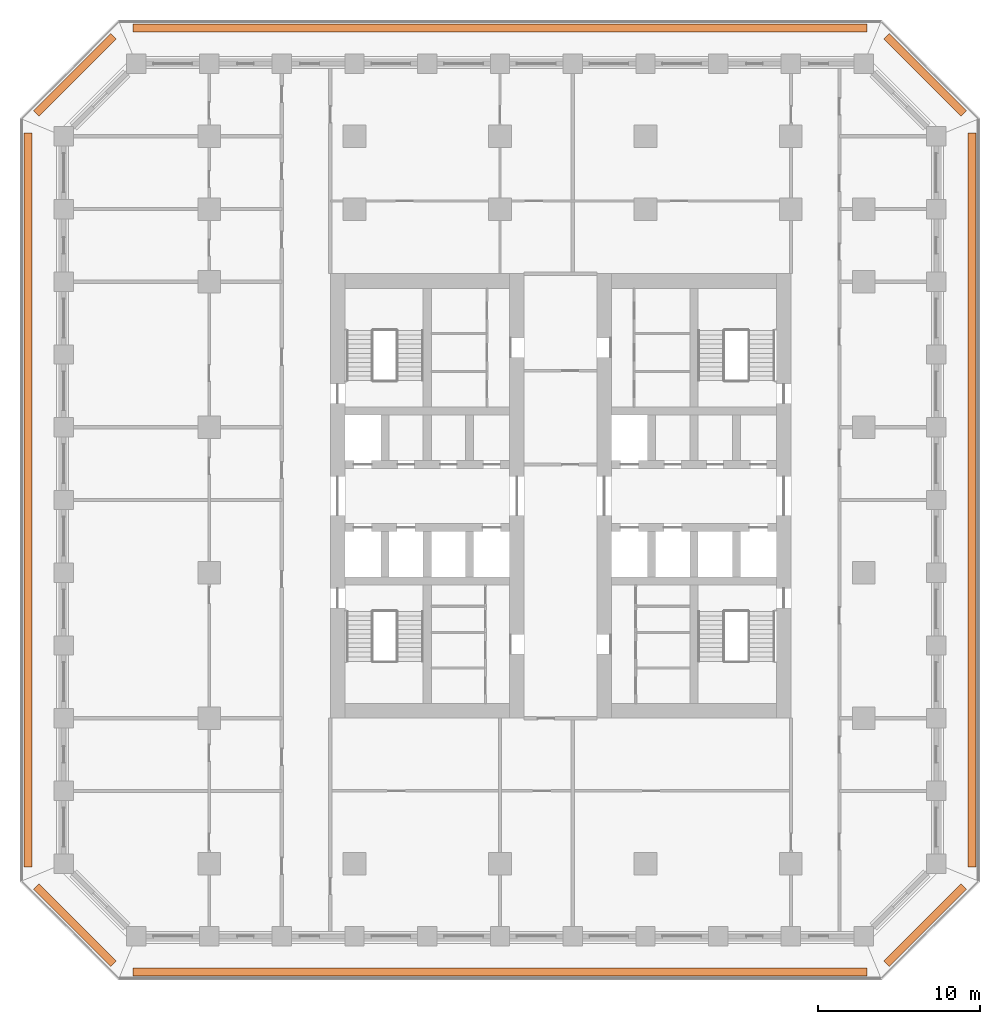
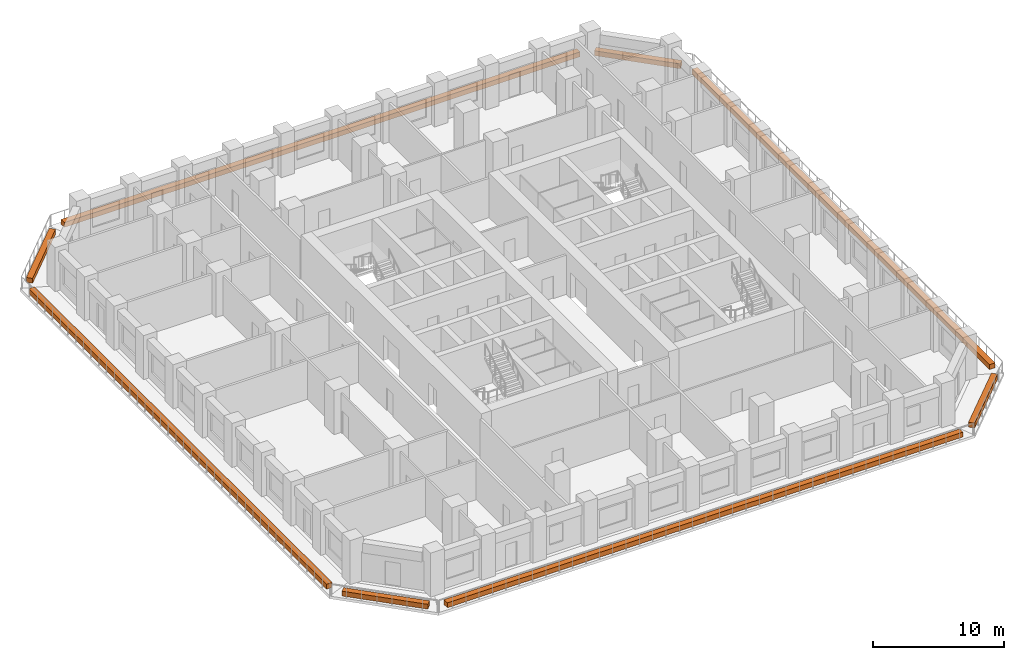
# One storey, part 17 of 17: 8 proxies.
"""IFC4 building model written with IfcOpenShell, lengths in metres."""

import ifcopenshell
import ifcopenshell.guid

model = None  # the IFC model being written
_history = None  # IfcOwnerHistory: only IFC2X3 demands one
_inside = {}  # id of a spatial element -> (the spatial element, [elements in it])
_under = {}  # id of a project, library or spatial element -> (it, [spatial elements below it])
_declared = {}  # id of a project -> (the project, [libraries it declares])
_typed = {}  # id of a type object -> (the type object, [elements of that type])
_made_of = {}  # id of a material, layer set ... -> (it, [elements and type objects made of it])


def new_model(schema):
    """Start an empty IFC model of exactly this schema.

    Asked for "IFC4X3", IfcOpenShell would pick the latest addendum, in which some entities
    have other attributes; the version numbers below select the first issue.
    IFC2X3 requires an IfcOwnerHistory on every rooted entity: one is made here for all.
    """
    global model, _history
    if schema == "IFC4X3":
        model = ifcopenshell.file(schema_version=(4, 3, 0, 0))
    else:
        model = ifcopenshell.file(schema=schema)
    _inside.clear()
    _under.clear()
    _declared.clear()
    _typed.clear()
    _made_of.clear()
    _history = None
    if model.schema == "IFC2X3":
        org = make("IfcOrganization", Name="unknown")
        user = make(
            "IfcPersonAndOrganization",
            ThePerson=make("IfcPerson", FamilyName="unknown"),
            TheOrganization=org,
        )
        app = make(
            "IfcApplication",
            ApplicationDeveloper=org,
            Version="unknown",
            ApplicationFullName="unknown",
            ApplicationIdentifier="unknown",
        )
        _history = make(
            "IfcOwnerHistory",
            OwningUser=user,
            OwningApplication=app,
            ChangeAction="ADDED",
            CreationDate=0,
        )
    return model


def make(cls, **values):
    """One entity of the class cls with the attributes given. An attribute that is None is left unset."""
    return model.create_entity(
        cls, **{name: value for name, value in values.items() if value is not None}
    )


def rooted(cls, **values):
    """An entity with a GlobalId (a new one), such as an element, a storey or a relation."""
    return make(cls, GlobalId=ifcopenshell.guid.new(), OwnerHistory=_history, **values)


def si_unit(unit_type, name, prefix=None):
    """IfcSIUnit, for example si_unit("LENGTHUNIT", "METRE", prefix="MILLI")."""
    return make("IfcSIUnit", UnitType=unit_type, Prefix=prefix, Name=name)


def assignment(units):
    """IfcUnitAssignment: the units of a project."""
    return None if units is None else make("IfcUnitAssignment", Units=units)


def point(xyz):
    """IfcCartesianPoint."""
    return None if xyz is None else make("IfcCartesianPoint", Coordinates=xyz)


def direction(xyz):
    """IfcDirection."""
    return None if xyz is None else make("IfcDirection", DirectionRatios=xyz)


def frame(location, z_axis=None, x_axis=None):
    """IfcAxis2Placement3D, a coordinate frame: its origin and axes. An axis left out is left unset."""
    return make(
        "IfcAxis2Placement3D",
        Location=point(location),
        Axis=direction(z_axis),
        RefDirection=direction(x_axis),
    )


def frame_2d(location, x_axis=None):
    """IfcAxis2Placement2D, a coordinate frame in the plane: its origin and x axis."""
    return make(
        "IfcAxis2Placement2D", Location=point(location), RefDirection=direction(x_axis)
    )


def origin():
    """The frame at (0, 0, 0) with its axes left unset."""
    return frame((0.0, 0.0, 0.0))


def origin_2d():
    """The frame at (0, 0) in the plane with its x axis left unset."""
    return frame_2d((0.0, 0.0))


def place(relative_to, where):
    """IfcLocalPlacement: puts the frame where relative to a parent placement (None: the world)."""
    return make(
        "IfcLocalPlacement", PlacementRelTo=relative_to, RelativePlacement=where
    )


def context(
    kind, dimensions, precision=None, world=None, true_north=None, identifier=None
):
    """IfcGeometricRepresentationContext, for example the 3D "Model" context."""
    return make(
        "IfcGeometricRepresentationContext",
        ContextIdentifier=identifier,
        ContextType=kind,
        CoordinateSpaceDimension=dimensions,
        Precision=precision,
        WorldCoordinateSystem=world,
        TrueNorth=true_north,
    )


def subcontext(parent, identifier, kind, view, scale=None):
    """IfcGeometricRepresentationSubContext, for example "Body" below "Model"."""
    return make(
        "IfcGeometricRepresentationSubContext",
        ContextIdentifier=identifier,
        ContextType=kind,
        ParentContext=parent,
        TargetScale=scale,
        TargetView=view,
    )


def project(units=None, contexts=None):
    """IfcProject with its units and contexts."""
    return rooted(
        "IfcProject",
        Name="project",
        RepresentationContexts=contexts,
        UnitsInContext=assignment(units),
    )


def spatial(cls, under=None, at=None, **own):
    """A site, building, storey or space (cls), placed at a placement, below another one or the project."""
    s = rooted(cls, ObjectPlacement=at, **own)
    if under is not None:
        _under.setdefault(under.id(), (under, []))[1].append(s)
    return s


def profile(cls, at=None, kind="AREA", **sizes):
    """A parametric profile (cls). Its sizes go by their IFC names, for example OverallWidth=200.0."""
    return make(cls, ProfileType=kind, Position=at, **sizes)


def rectangle(**sizes):
    """IfcRectangleProfileDef."""
    return profile("IfcRectangleProfileDef", **sizes)


def extrude(swept, where, along, depth):
    """IfcExtrudedAreaSolid: the profile swept, set in the frame where, extruded along a direction by depth."""
    return make(
        "IfcExtrudedAreaSolid",
        SweptArea=swept,
        Position=where,
        ExtrudedDirection=direction(along),
        Depth=depth,
    )


def shape(context_of_items, identifier, shape_type, items):
    """IfcShapeRepresentation: the items that make up one representation, for example the "Body"."""
    return make(
        "IfcShapeRepresentation",
        ContextOfItems=context_of_items,
        RepresentationIdentifier=identifier,
        RepresentationType=shape_type,
        Items=items,
    )


def material(Name=None, Category=None):
    """IfcMaterial."""
    return make("IfcMaterial", Name=Name, Category=Category)


def made_of(thing, what):
    """Note that an element or type object is made of a material, layer set ...; save() writes the relation."""
    if what is not None:
        _made_of.setdefault(what.id(), (what, []))[1].append(thing)
    return thing


def type_object(cls, material=None, **own):
    """A type object (cls), such as IfcWallType, which elements share."""
    return made_of(rooted(cls, **own), material)


def element(
    cls,
    number,
    at=None,
    inside=None,
    cuts=None,
    type_object=None,
    material=None,
    context=None,
    identifier="Body",
    shape_type=None,
    held_by="IfcProductDefinitionShape",
    body=None,
    shapes=None,
    **own,
):
    """One element of the class cls, such as IfcWall. Its Tag is "e" and its number.

    at: its placement. inside: the storey or other place that contains it. cuts: it is an
    opening in that element (IfcRelVoidsElement). A single representation is given by context,
    identifier, shape_type and body (its items); several are given by shapes. held_by: the class
    of the entity that holds the representations. save() writes the other relations.
    """
    e = rooted(cls, Tag="e%d" % number, ObjectPlacement=at, **own)
    if body is not None:
        shapes = [shape(context, identifier, shape_type, body)]
    if shapes is not None:
        e.Representation = make(held_by, Representations=shapes)
    if inside is not None:
        _inside.setdefault(inside.id(), (inside, []))[1].append(e)
    if cuts is not None:
        rooted(
            "IfcRelVoidsElement", RelatingBuildingElement=cuts, RelatedOpeningElement=e
        )
    if type_object is not None:
        _typed.setdefault(type_object.id(), (type_object, []))[1].append(e)
    return made_of(e, material)


def aggregate(whole, parts):
    """IfcRelAggregates: a whole, such as a stair, and the parts it consists of."""
    return rooted("IfcRelAggregates", RelatingObject=whole, RelatedObjects=parts)


def save(model, path):
    """Write the relations noted so far, then the file.

    IfcRelAggregates (storeys below a building ...), IfcRelContainedInSpatialStructure (elements
    in a storey), IfcRelDefinesByType, IfcRelAssociatesMaterial and IfcRelDeclares: one each for
    every whole, place, type object, material and project.
    """
    for whole, parts in _under.values():
        aggregate(whole, parts)
    for where, things in _inside.values():
        rooted(
            "IfcRelContainedInSpatialStructure",
            RelatedElements=things,
            RelatingStructure=where,
        )
    for kind, things in _typed.values():
        rooted("IfcRelDefinesByType", RelatedObjects=things, RelatingType=kind)
    for what, things in _made_of.values():
        rooted("IfcRelAssociatesMaterial", RelatedObjects=things, RelatingMaterial=what)
    for by, libraries in _declared.values():
        rooted("IfcRelDeclares", RelatingContext=by, RelatedDefinitions=libraries)
    model.write(path)


model = new_model("IFC4")

# Units and contexts
model_context = context("Model", 3, precision=1e-05, world=origin(), true_north=direction((0.0, 1.0)))
body_context = subcontext(model_context, "Body", "Model", "MODEL_VIEW")
ifc_project = project(units=[si_unit("LENGTHUNIT", "METRE"), si_unit("AREAUNIT", "SQUARE_METRE"), si_unit("VOLUMEUNIT", "CUBIC_METRE"), si_unit("PLANEANGLEUNIT", "RADIAN"), si_unit("MASSUNIT", "GRAM", prefix="KILO")], contexts=[model_context])

# Site, building, storey
site_placement = place(None, origin())
site = spatial("IfcSite", under=ifc_project, at=site_placement, CompositionType="ELEMENT")
building_placement = place(site_placement, origin())
building = spatial("IfcBuilding", under=site, at=building_placement, Name="Corbel Stack Research Tower", CompositionType="ELEMENT")
storey_placement = place(building_placement, frame((0.0, 0.0, 129.0)))
storey = spatial("IfcBuildingStorey", under=building, at=storey_placement, Name="L29", CompositionType="ELEMENT", Elevation=129.0)

# Proxies
ifc_material = material(Name="Concrete C45/55", Category="concrete")
building_element_proxy_type = type_object("IfcBuildingElementProxyType", Name="Planter box", PredefinedType="USERDEFINED", material=ifc_material)
proxy_1_placement = place(storey_placement, frame((0.0, -24.699951171875, 0.0), z_axis=(0.0, 0.0, 1.0), x_axis=(1.0, 0.0, 0.0)))
element("IfcBuildingElementProxy", 1, at=proxy_1_placement, inside=storey, type_object=building_element_proxy_type, Name="Planter L29 S", ObjectType="PLANTER", PredefinedType="USERDEFINED", context=body_context, shape_type="SweptSolid", body=[
    extrude(rectangle(XDim=45.41064453125, YDim=0.5, at=origin_2d()), origin(), (0.0, 0.0, 1.0), 0.449951171875),
])
proxy_2_placement = place(storey_placement, frame((26.3056640625, -21.8056640625, 0.0), z_axis=(0.0, 0.0, 1.0), x_axis=(0.707106781187, 0.707106781187, 0.0)))
element("IfcBuildingElementProxy", 2, at=proxy_2_placement, inside=storey, type_object=building_element_proxy_type, Name="Planter L29 SE", ObjectType="PLANTER", PredefinedType="USERDEFINED", context=body_context, shape_type="SweptSolid", body=[
    extrude(rectangle(XDim=6.774658203125, YDim=0.5, at=origin_2d()), origin(), (0.0, 0.0, 1.0), 0.449951171875),
])
proxy_3_placement = place(storey_placement, frame((29.199951171875, 4.5, 0.0), z_axis=(0.0, 0.0, 1.0), x_axis=(0.0, 1.0, 0.0)))
element("IfcBuildingElementProxy", 3, at=proxy_3_placement, inside=storey, type_object=building_element_proxy_type, Name="Planter L29 E", ObjectType="PLANTER", PredefinedType="USERDEFINED", context=body_context, shape_type="SweptSolid", body=[
    extrude(rectangle(XDim=45.41064453125, YDim=0.5, at=origin_2d()), origin(), (0.0, 0.0, 1.0), 0.449951171875),
])
proxy_4_placement = place(storey_placement, frame((26.3056640625, 30.8056640625, 0.0), z_axis=(0.0, 0.0, 1.0), x_axis=(-0.707106781187, 0.707106781187, 0.0)))
element("IfcBuildingElementProxy", 4, at=proxy_4_placement, inside=storey, type_object=building_element_proxy_type, Name="Planter L29 NE", ObjectType="PLANTER", PredefinedType="USERDEFINED", context=body_context, shape_type="SweptSolid", body=[
    extrude(rectangle(XDim=6.774658203125, YDim=0.5, at=origin_2d()), origin(), (0.0, 0.0, 1.0), 0.449951171875),
])
proxy_5_placement = place(storey_placement, frame((0.0, 33.699951171875, 0.0), z_axis=(0.0, 0.0, 1.0), x_axis=(-1.0, 0.0, 0.0)))
element("IfcBuildingElementProxy", 5, at=proxy_5_placement, inside=storey, type_object=building_element_proxy_type, Name="Planter L29 N", ObjectType="PLANTER", PredefinedType="USERDEFINED", context=body_context, shape_type="SweptSolid", body=[
    extrude(rectangle(XDim=45.41064453125, YDim=0.5, at=origin_2d()), origin(), (0.0, 0.0, 1.0), 0.449951171875),
])
proxy_6_placement = place(storey_placement, frame((-26.3056640625, 30.8056640625, 0.0), z_axis=(0.0, 0.0, 1.0), x_axis=(-0.707106781187, -0.707106781187, 0.0)))
element("IfcBuildingElementProxy", 6, at=proxy_6_placement, inside=storey, type_object=building_element_proxy_type, Name="Planter L29 NW", ObjectType="PLANTER", PredefinedType="USERDEFINED", context=body_context, shape_type="SweptSolid", body=[
    extrude(rectangle(XDim=6.774658203125, YDim=0.5, at=origin_2d()), origin(), (0.0, 0.0, 1.0), 0.449951171875),
])
proxy_7_placement = place(storey_placement, frame((-29.199951171875, 4.5, 0.0), z_axis=(0.0, 0.0, 1.0), x_axis=(0.0, -1.0, 0.0)))
element("IfcBuildingElementProxy", 7, at=proxy_7_placement, inside=storey, type_object=building_element_proxy_type, Name="Planter L29 W", ObjectType="PLANTER", PredefinedType="USERDEFINED", context=body_context, shape_type="SweptSolid", body=[
    extrude(rectangle(XDim=45.41064453125, YDim=0.5, at=origin_2d()), origin(), (0.0, 0.0, 1.0), 0.449951171875),
])
proxy_8_placement = place(storey_placement, frame((-26.3056640625, -21.8056640625, 0.0), z_axis=(0.0, 0.0, 1.0), x_axis=(0.707106781187, -0.707106781187, 0.0)))
element("IfcBuildingElementProxy", 8, at=proxy_8_placement, inside=storey, type_object=building_element_proxy_type, Name="Planter L29 SW", ObjectType="PLANTER", PredefinedType="USERDEFINED", context=body_context, shape_type="SweptSolid", body=[
    extrude(rectangle(XDim=6.774658203125, YDim=0.5, at=origin_2d()), origin(), (0.0, 0.0, 1.0), 0.449951171875),
])

save(model, "model.ifc")
